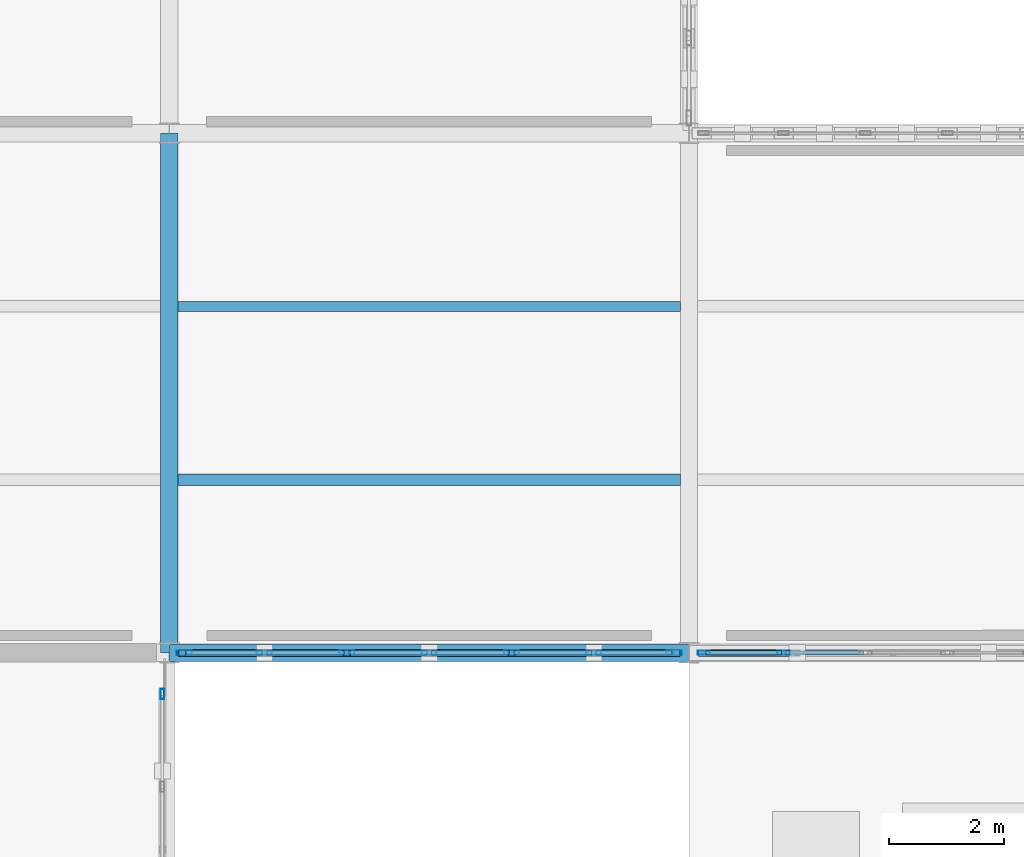
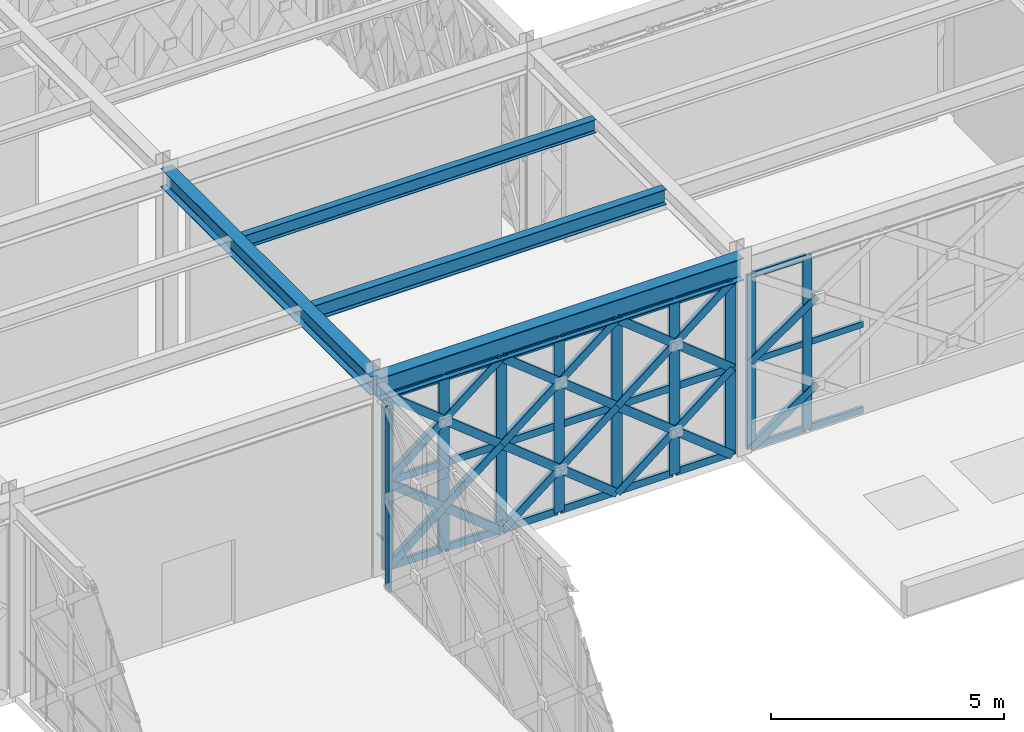
# One storey, part 113 of 166: 53 members, 4 beams, 3 elements without a shape of their own.
"""IFC4 building model written with IfcOpenShell, lengths in metres."""

from ifc_helpers import new_model, si_unit, direction, frame, origin, origin_2d, place, context, subcontext, project, spatial, hollow_rectangle, i_section, extrude, material, material_profile, profile_set, type_object, element, aggregate, save


model = new_model("IFC4")

# Units and contexts
model_context = context("Model", 3, precision=1e-05, world=origin(), true_north=direction((0.0, 1.0)))
body_context = subcontext(model_context, "Body", "Model", "MODEL_VIEW")
ifc_project = project(units=[si_unit("LENGTHUNIT", "METRE"), si_unit("AREAUNIT", "SQUARE_METRE"), si_unit("VOLUMEUNIT", "CUBIC_METRE"), si_unit("PLANEANGLEUNIT", "RADIAN"), si_unit("MASSUNIT", "GRAM", prefix="KILO")], contexts=[model_context])

# Site, building, storey
site_placement = place(None, origin())
site = spatial("IfcSite", under=ifc_project, at=site_placement, CompositionType="ELEMENT")
building_placement = place(site_placement, origin())
building = spatial("IfcBuilding", under=site, at=building_placement, Name="Haizhuo Lancet Aquarium", CompositionType="ELEMENT")
storey_placement = place(building_placement, frame((0.0, 0.0, 5.39990234375)))
storey = spatial("IfcBuildingStorey", under=building, at=storey_placement, Name="L01", CompositionType="ELEMENT", Elevation=5.39990234375)

# Beams
ifc_material_1 = material(Name="Steel S355", Category="steel")
ifc_material_profile_1 = material_profile(ifc_material_1, i_section(OverallWidth=0.300048828125, OverallDepth=0.488037109375, WebThickness=0.010986328125, FlangeThickness=0.01806640625, FilletRadius=0.02392578125, at=origin_2d()), Name="HM 488x300x11x18")
ifc_profile_set_1 = profile_set([ifc_material_profile_1], Name="Steel S355")
beam_type_1 = type_object("IfcBeamType", Name="BM-ST-HM488", PredefinedType="BEAM", material=ifc_profile_set_1)
beam_1_placement = place(storey_placement, frame((63.0, 9.0, 4.89599609375), z_axis=(0.0, 1.0, 0.0), x_axis=(-1.0, 0.0, 0.0)))
element("IfcBeam", 1, at=beam_1_placement, inside=storey, type_object=beam_type_1, Name="L01 V7 primary girder BM-L01-V7-021", PredefinedType="BEAM", context=body_context, shape_type="SweptSolid", body=[
    extrude(i_section(OverallWidth=0.300048828125, OverallDepth=0.488037109375, WebThickness=0.010986328125, FlangeThickness=0.01806640625, FilletRadius=0.02392578125, at=origin_2d()), origin(), (0.0, 0.0, 1.0), 9.0),
])
ifc_material_profile_2 = material_profile(ifc_material_1, i_section(OverallWidth=0.300048828125, OverallDepth=0.587890625, WebThickness=0.011962890625, FlangeThickness=0.02001953125, FilletRadius=0.02587890625, at=origin_2d()), Name="HM 588x300x12x20")
ifc_profile_set_2 = profile_set([ifc_material_profile_2], Name="Steel S355")
beam_type_2 = type_object("IfcBeamType", Name="BM-ST-HM588", PredefinedType="BEAM", material=ifc_profile_set_2)
beam_2_placement = place(storey_placement, frame((63.0, 9.0, 4.84619140625), z_axis=(1.0, 0.0, 0.0), x_axis=(0.0, 1.0, 0.0)))
element("IfcBeam", 2, at=beam_2_placement, inside=storey, type_object=beam_type_2, Name="L01 V7 primary girder BM-L01-V7-022", PredefinedType="BEAM", context=body_context, shape_type="SweptSolid", body=[
    extrude(i_section(OverallWidth=0.300048828125, OverallDepth=0.587890625, WebThickness=0.011962890625, FlangeThickness=0.02001953125, FilletRadius=0.02587890625, at=origin_2d()), origin(), (0.0, 0.0, 1.0), 9.0),
])

# Curtain wall, member
ifc_material_2 = material(Name="Aluminium 6063-T6", Category="aluminium")
curtain_wall_type_1 = type_object("IfcCurtainWallType", Name="CWO-8200x4750", PredefinedType="NOTDEFINED", material=ifc_material_2)
curtain_wall_1_placement = place(storey_placement, origin())
curtain_wall_1 = element("IfcCurtainWall", 3, at=curtain_wall_1_placement, inside=storey, type_object=curtain_wall_type_1, Name="L01 curtain wall CW-SB-02-E2", PredefinedType="NOTDEFINED")
ifc_material_profile_3 = material_profile(ifc_material_2, hollow_rectangle(XDim=0.06494140625, YDim=0.179931640625, WallThickness=0.00390625, at=origin_2d()), Name="ALU-M 65x180x4")
ifc_profile_set_3 = profile_set([ifc_material_profile_3], Name="Aluminium 6063-T6")
member_type_1 = type_object("IfcMemberType", Name="CW-MUL-1", PredefinedType="MULLION", material=ifc_profile_set_3)
member_1_placement = place(storey_placement, frame((62.8798828125, 8.287109375, 0.0), z_axis=(0.0, 0.0, 1.0), x_axis=(1.0, 0.0, 0.0)))
member_1 = element("IfcMember", 4, at=member_1_placement, type_object=member_type_1, Name="CWO-82x47 mullion 1", PredefinedType="MULLION", context=body_context, shape_type="SweptSolid", body=[
    extrude(hollow_rectangle(XDim=0.06494140625, YDim=0.179931640625, WallThickness=0.00390625, at=origin_2d()), origin(), (0.0, 0.0, 1.0), 4.75),
])
aggregate(curtain_wall_1, [member_1])

# Curtain wall, members
curtain_wall_type_2 = type_object("IfcCurtainWallType", Name="CWO-9940x4550", PredefinedType="NOTDEFINED", material=ifc_material_2)
curtain_wall_2_placement = place(storey_placement, origin())
curtain_wall_2 = element("IfcCurtainWall", 5, at=curtain_wall_2_placement, inside=storey, type_object=curtain_wall_type_2, Name="L01 curtain wall CW-V7-L01-290", PredefinedType="NOTDEFINED")
ifc_material_profile_4 = material_profile(ifc_material_2, hollow_rectangle(XDim=0.074951171875, YDim=0.219970703125, WallThickness=0.0048828125, at=origin_2d()), Name="ALU-M 75x220x5")
ifc_profile_set_4 = profile_set([ifc_material_profile_4], Name="Aluminium 6063-T6")
member_type_2 = type_object("IfcMemberType", Name="CW-MUL-2", PredefinedType="MULLION", material=ifc_profile_set_4)
member_2_placement = place(storey_placement, frame((73.638916015625, 9.0, 0.0), z_axis=(0.0, 0.0, 1.0), x_axis=(0.0, -1.0, 0.0)))
member_2 = element("IfcMember", 6, at=member_2_placement, type_object=member_type_2, Name="CWO-99x45 mullion 7", PredefinedType="MULLION", context=body_context, shape_type="SweptSolid", body=[
    extrude(hollow_rectangle(XDim=0.074951171875, YDim=0.219970703125, WallThickness=0.0048828125, at=origin_2d()), origin(), (0.0, 0.0, 1.0), 4.552001953125),
])
member_3_placement = place(storey_placement, frame((72.257080078125, 9.0, 0.0), z_axis=(0.0, 0.0, 1.0), x_axis=(0.0, -1.0, 0.0)))
member_3 = element("IfcMember", 7, at=member_3_placement, type_object=member_type_2, Name="CWO-99x45 mullion 8", PredefinedType="MULLION", context=body_context, shape_type="SweptSolid", body=[
    extrude(hollow_rectangle(XDim=0.074951171875, YDim=0.219970703125, WallThickness=0.0048828125, at=origin_2d()), origin(), (0.0, 0.0, 1.0), 4.552001953125),
])

curtain_wall_type_3 = type_object("IfcCurtainWallType", Name="CWO-8560x4550", PredefinedType="NOTDEFINED", material=ifc_material_2)
curtain_wall_3_placement = place(storey_placement, origin())
curtain_wall_3 = element("IfcCurtainWall", 8, at=curtain_wall_3_placement, inside=storey, type_object=curtain_wall_type_3, Name="L01 curtain wall CW-V7-L01-291", PredefinedType="NOTDEFINED")
ifc_material_profile_5 = material_profile(ifc_material_2, hollow_rectangle(XDim=0.080078125, YDim=0.260009765625, WallThickness=0.0048828125, at=origin_2d()), Name="ALU-M 80x260x5")
ifc_profile_set_5 = profile_set([ifc_material_profile_5], Name="Aluminium 6063-T6")
member_type_3 = type_object("IfcMemberType", Name="CW-MUL-3", PredefinedType="MULLION", material=ifc_profile_set_5)
member_4_placement = place(storey_placement, frame((71.739990234375, 9.0, 0.0), z_axis=(0.0, 0.0, 1.0), x_axis=(0.0, -1.0, 0.0)))
member_4 = element("IfcMember", 9, at=member_4_placement, type_object=member_type_3, Name="CWO-85x45 mullion 1", PredefinedType="MULLION", context=body_context, shape_type="SweptSolid", body=[
    extrude(hollow_rectangle(XDim=0.080078125, YDim=0.260009765625, WallThickness=0.0048828125, at=origin_2d()), origin(), (0.0, 0.0, 1.0), 4.552001953125),
])
member_5_placement = place(storey_placement, frame((70.35302734375, 9.0, 0.0), z_axis=(0.0, 0.0, 1.0), x_axis=(0.0, -1.0, 0.0)))
member_5 = element("IfcMember", 10, at=member_5_placement, type_object=member_type_3, Name="CWO-85x45 mullion 2", PredefinedType="MULLION", context=body_context, shape_type="SweptSolid", body=[
    extrude(hollow_rectangle(XDim=0.080078125, YDim=0.260009765625, WallThickness=0.0048828125, at=origin_2d()), origin(), (0.0, 0.0, 1.0), 4.552001953125),
])
member_6_placement = place(storey_placement, frame((68.927001953125, 9.0, 0.0), z_axis=(0.0, 0.0, 1.0), x_axis=(0.0, -1.0, 0.0)))
member_6 = element("IfcMember", 11, at=member_6_placement, type_object=member_type_3, Name="CWO-85x45 mullion 3", PredefinedType="MULLION", context=body_context, shape_type="SweptSolid", body=[
    extrude(hollow_rectangle(XDim=0.080078125, YDim=0.260009765625, WallThickness=0.0048828125, at=origin_2d()), origin(), (0.0, 0.0, 1.0), 4.552001953125),
])
member_7_placement = place(storey_placement, frame((67.5, 9.0, 0.0), z_axis=(0.0, 0.0, 1.0), x_axis=(0.0, -1.0, 0.0)))
member_7 = element("IfcMember", 12, at=member_7_placement, type_object=member_type_3, Name="CWO-85x45 mullion 4", PredefinedType="MULLION", context=body_context, shape_type="SweptSolid", body=[
    extrude(hollow_rectangle(XDim=0.080078125, YDim=0.260009765625, WallThickness=0.0048828125, at=origin_2d()), origin(), (0.0, 0.0, 1.0), 4.552001953125),
])
member_8_placement = place(storey_placement, frame((66.072998046875, 9.0, 0.0), z_axis=(0.0, 0.0, 1.0), x_axis=(0.0, -1.0, 0.0)))
member_8 = element("IfcMember", 13, at=member_8_placement, type_object=member_type_3, Name="CWO-85x45 mullion 5", PredefinedType="MULLION", context=body_context, shape_type="SweptSolid", body=[
    extrude(hollow_rectangle(XDim=0.080078125, YDim=0.260009765625, WallThickness=0.0048828125, at=origin_2d()), origin(), (0.0, 0.0, 1.0), 4.552001953125),
])
member_9_placement = place(storey_placement, frame((64.64697265625, 9.0, 0.0), z_axis=(0.0, 0.0, 1.0), x_axis=(0.0, -1.0, 0.0)))
member_9 = element("IfcMember", 14, at=member_9_placement, type_object=member_type_3, Name="CWO-85x45 mullion 6", PredefinedType="MULLION", context=body_context, shape_type="SweptSolid", body=[
    extrude(hollow_rectangle(XDim=0.080078125, YDim=0.260009765625, WallThickness=0.0048828125, at=origin_2d()), origin(), (0.0, 0.0, 1.0), 4.552001953125),
])
member_10_placement = place(storey_placement, frame((63.260009765625, 9.0, 0.0), z_axis=(0.0, 0.0, 1.0), x_axis=(0.0, -1.0, 0.0)))
member_10 = element("IfcMember", 15, at=member_10_placement, type_object=member_type_3, Name="CWO-85x45 mullion 7", PredefinedType="MULLION", context=body_context, shape_type="SweptSolid", body=[
    extrude(hollow_rectangle(XDim=0.080078125, YDim=0.260009765625, WallThickness=0.0048828125, at=origin_2d()), origin(), (0.0, 0.0, 1.0), 4.552001953125),
])

# Member
ifc_material_profile_6 = material_profile(ifc_material_2, hollow_rectangle(XDim=0.074951171875, YDim=0.159912109375, WallThickness=0.00390625, at=origin_2d()), Name="ALU-T 75x160x4")
ifc_profile_set_6 = profile_set([ifc_material_profile_6], Name="Aluminium 6063-T6")
member_type_4 = type_object("IfcMemberType", Name="CW-TRN-2", PredefinedType="NOTDEFINED", material=ifc_profile_set_6)
member_11_placement = place(storey_placement, frame((75.02099609375, 9.0, 0.0380859375), z_axis=(-1.0, 0.0, 0.0), x_axis=(0.0, -1.0, 0.0)))
member_11 = element("IfcMember", 16, at=member_11_placement, type_object=member_type_4, Name="CWO-99x45 transom 6.1", ObjectType="TRANSOM", PredefinedType="USERDEFINED", context=body_context, shape_type="SweptSolid", body=[
    extrude(hollow_rectangle(XDim=0.074951171875, YDim=0.159912109375, WallThickness=0.00390625, at=origin_2d()), origin(), (0.0, 0.0, 1.0), 1.343994140625),
])

member_12_placement = place(storey_placement, frame((75.02099609375, 9.0, 2.276123046875), z_axis=(-1.0, 0.0, 0.0), x_axis=(0.0, -1.0, 0.0)))
member_12 = element("IfcMember", 17, at=member_12_placement, type_object=member_type_4, Name="CWO-99x45 transom 6.2", ObjectType="TRANSOM", PredefinedType="USERDEFINED", context=body_context, shape_type="SweptSolid", body=[
    extrude(hollow_rectangle(XDim=0.074951171875, YDim=0.159912109375, WallThickness=0.00390625, at=origin_2d()), origin(), (0.0, 0.0, 1.0), 1.343994140625),
])

member_13_placement = place(storey_placement, frame((73.60205078125, 9.0, 0.0380859375), z_axis=(-1.0, 0.0, 0.0), x_axis=(0.0, -1.0, 0.0)))
member_13 = element("IfcMember", 18, at=member_13_placement, type_object=member_type_4, Name="CWO-99x45 transom 7.1", ObjectType="TRANSOM", PredefinedType="USERDEFINED", context=body_context, shape_type="SweptSolid", body=[
    extrude(hollow_rectangle(XDim=0.074951171875, YDim=0.159912109375, WallThickness=0.00390625, at=origin_2d()), origin(), (0.0, 0.0, 1.0), 1.30712890625),
])

member_14_placement = place(storey_placement, frame((73.60205078125, 9.0, 2.276123046875), z_axis=(-1.0, 0.0, 0.0), x_axis=(0.0, -1.0, 0.0)))
member_14 = element("IfcMember", 19, at=member_14_placement, type_object=member_type_4, Name="CWO-99x45 transom 7.2", ObjectType="TRANSOM", PredefinedType="USERDEFINED", context=body_context, shape_type="SweptSolid", body=[
    extrude(hollow_rectangle(XDim=0.074951171875, YDim=0.159912109375, WallThickness=0.00390625, at=origin_2d()), origin(), (0.0, 0.0, 1.0), 1.30712890625),
])

member_15_placement = place(storey_placement, frame((73.60205078125, 9.0, 4.51513671875), z_axis=(-1.0, 0.0, 0.0), x_axis=(0.0, -1.0, 0.0)))
member_15 = element("IfcMember", 20, at=member_15_placement, type_object=member_type_4, Name="CWO-99x45 transom 7.3", ObjectType="TRANSOM", PredefinedType="USERDEFINED", context=body_context, shape_type="SweptSolid", body=[
    extrude(hollow_rectangle(XDim=0.074951171875, YDim=0.159912109375, WallThickness=0.00390625, at=origin_2d()), origin(), (0.0, 0.0, 1.0), 1.30712890625),
])

aggregate(curtain_wall_2, [member_2, member_3, member_11, member_12, member_13, member_14, member_15])

ifc_material_profile_7 = material_profile(ifc_material_2, hollow_rectangle(XDim=0.080078125, YDim=0.18994140625, WallThickness=0.0048828125, at=origin_2d()), Name="ALU-T 80x190x5")
ifc_profile_set_7 = profile_set([ifc_material_profile_7], Name="Aluminium 6063-T6")
member_type_5 = type_object("IfcMemberType", Name="CW-TRN-3", PredefinedType="NOTDEFINED", material=ifc_profile_set_7)
member_16_placement = place(storey_placement, frame((71.699951171875, 9.0, 0.0400390625), z_axis=(-1.0, 0.0, 0.0), x_axis=(0.0, -1.0, 0.0)))
member_16 = element("IfcMember", 21, at=member_16_placement, type_object=member_type_5, Name="CWO-85x45 transom 1.1", ObjectType="TRANSOM", PredefinedType="USERDEFINED", context=body_context, shape_type="SweptSolid", body=[
    extrude(hollow_rectangle(XDim=0.080078125, YDim=0.18994140625, WallThickness=0.0048828125, at=origin_2d()), origin(), (0.0, 0.0, 1.0), 1.306884765625),
])

member_17_placement = place(storey_placement, frame((71.699951171875, 9.0, 2.276123046875), z_axis=(-1.0, 0.0, 0.0), x_axis=(0.0, -1.0, 0.0)))
member_17 = element("IfcMember", 22, at=member_17_placement, type_object=member_type_5, Name="CWO-85x45 transom 1.2", ObjectType="TRANSOM", PredefinedType="USERDEFINED", context=body_context, shape_type="SweptSolid", body=[
    extrude(hollow_rectangle(XDim=0.080078125, YDim=0.18994140625, WallThickness=0.0048828125, at=origin_2d()), origin(), (0.0, 0.0, 1.0), 1.306884765625),
])

member_18_placement = place(storey_placement, frame((71.699951171875, 9.0, 4.51220703125), z_axis=(-1.0, 0.0, 0.0), x_axis=(0.0, -1.0, 0.0)))
member_18 = element("IfcMember", 23, at=member_18_placement, type_object=member_type_5, Name="CWO-85x45 transom 1.3", ObjectType="TRANSOM", PredefinedType="USERDEFINED", context=body_context, shape_type="SweptSolid", body=[
    extrude(hollow_rectangle(XDim=0.080078125, YDim=0.18994140625, WallThickness=0.0048828125, at=origin_2d()), origin(), (0.0, 0.0, 1.0), 1.306884765625),
])

member_19_placement = place(storey_placement, frame((70.31298828125, 9.0, 0.0400390625), z_axis=(-1.0, 0.0, 0.0), x_axis=(0.0, -1.0, 0.0)))
member_19 = element("IfcMember", 24, at=member_19_placement, type_object=member_type_5, Name="CWO-85x45 transom 2.1", ObjectType="TRANSOM", PredefinedType="USERDEFINED", context=body_context, shape_type="SweptSolid", body=[
    extrude(hollow_rectangle(XDim=0.080078125, YDim=0.18994140625, WallThickness=0.0048828125, at=origin_2d()), origin(), (0.0, 0.0, 1.0), 1.345947265625),
])

member_20_placement = place(storey_placement, frame((70.31298828125, 9.0, 2.276123046875), z_axis=(-1.0, 0.0, 0.0), x_axis=(0.0, -1.0, 0.0)))
member_20 = element("IfcMember", 25, at=member_20_placement, type_object=member_type_5, Name="CWO-85x45 transom 2.2", ObjectType="TRANSOM", PredefinedType="USERDEFINED", context=body_context, shape_type="SweptSolid", body=[
    extrude(hollow_rectangle(XDim=0.080078125, YDim=0.18994140625, WallThickness=0.0048828125, at=origin_2d()), origin(), (0.0, 0.0, 1.0), 1.345947265625),
])

member_21_placement = place(storey_placement, frame((70.31298828125, 9.0, 4.51220703125), z_axis=(-1.0, 0.0, 0.0), x_axis=(0.0, -1.0, 0.0)))
member_21 = element("IfcMember", 26, at=member_21_placement, type_object=member_type_5, Name="CWO-85x45 transom 2.3", ObjectType="TRANSOM", PredefinedType="USERDEFINED", context=body_context, shape_type="SweptSolid", body=[
    extrude(hollow_rectangle(XDim=0.080078125, YDim=0.18994140625, WallThickness=0.0048828125, at=origin_2d()), origin(), (0.0, 0.0, 1.0), 1.345947265625),
])

member_22_placement = place(storey_placement, frame((68.886962890625, 9.0, 0.0400390625), z_axis=(-1.0, 0.0, 0.0), x_axis=(0.0, -1.0, 0.0)))
member_22 = element("IfcMember", 27, at=member_22_placement, type_object=member_type_5, Name="CWO-85x45 transom 3.1", ObjectType="TRANSOM", PredefinedType="USERDEFINED", context=body_context, shape_type="SweptSolid", body=[
    extrude(hollow_rectangle(XDim=0.080078125, YDim=0.18994140625, WallThickness=0.0048828125, at=origin_2d()), origin(), (0.0, 0.0, 1.0), 1.346923828125),
])

member_23_placement = place(storey_placement, frame((68.886962890625, 9.0, 2.276123046875), z_axis=(-1.0, 0.0, 0.0), x_axis=(0.0, -1.0, 0.0)))
member_23 = element("IfcMember", 28, at=member_23_placement, type_object=member_type_5, Name="CWO-85x45 transom 3.2", ObjectType="TRANSOM", PredefinedType="USERDEFINED", context=body_context, shape_type="SweptSolid", body=[
    extrude(hollow_rectangle(XDim=0.080078125, YDim=0.18994140625, WallThickness=0.0048828125, at=origin_2d()), origin(), (0.0, 0.0, 1.0), 1.346923828125),
])

member_24_placement = place(storey_placement, frame((68.886962890625, 9.0, 4.51220703125), z_axis=(-1.0, 0.0, 0.0), x_axis=(0.0, -1.0, 0.0)))
member_24 = element("IfcMember", 29, at=member_24_placement, type_object=member_type_5, Name="CWO-85x45 transom 3.3", ObjectType="TRANSOM", PredefinedType="USERDEFINED", context=body_context, shape_type="SweptSolid", body=[
    extrude(hollow_rectangle(XDim=0.080078125, YDim=0.18994140625, WallThickness=0.0048828125, at=origin_2d()), origin(), (0.0, 0.0, 1.0), 1.346923828125),
])

member_25_placement = place(storey_placement, frame((67.4599609375, 9.0, 0.0400390625), z_axis=(-1.0, 0.0, 0.0), x_axis=(0.0, -1.0, 0.0)))
member_25 = element("IfcMember", 30, at=member_25_placement, type_object=member_type_5, Name="CWO-85x45 transom 4.1", ObjectType="TRANSOM", PredefinedType="USERDEFINED", context=body_context, shape_type="SweptSolid", body=[
    extrude(hollow_rectangle(XDim=0.080078125, YDim=0.18994140625, WallThickness=0.0048828125, at=origin_2d()), origin(), (0.0, 0.0, 1.0), 1.346923828125),
])

member_26_placement = place(storey_placement, frame((67.4599609375, 9.0, 2.276123046875), z_axis=(-1.0, 0.0, 0.0), x_axis=(0.0, -1.0, 0.0)))
member_26 = element("IfcMember", 31, at=member_26_placement, type_object=member_type_5, Name="CWO-85x45 transom 4.2", ObjectType="TRANSOM", PredefinedType="USERDEFINED", context=body_context, shape_type="SweptSolid", body=[
    extrude(hollow_rectangle(XDim=0.080078125, YDim=0.18994140625, WallThickness=0.0048828125, at=origin_2d()), origin(), (0.0, 0.0, 1.0), 1.346923828125),
])

member_27_placement = place(storey_placement, frame((67.4599609375, 9.0, 4.51220703125), z_axis=(-1.0, 0.0, 0.0), x_axis=(0.0, -1.0, 0.0)))
member_27 = element("IfcMember", 32, at=member_27_placement, type_object=member_type_5, Name="CWO-85x45 transom 4.3", ObjectType="TRANSOM", PredefinedType="USERDEFINED", context=body_context, shape_type="SweptSolid", body=[
    extrude(hollow_rectangle(XDim=0.080078125, YDim=0.18994140625, WallThickness=0.0048828125, at=origin_2d()), origin(), (0.0, 0.0, 1.0), 1.346923828125),
])

member_28_placement = place(storey_placement, frame((66.032958984375, 9.0, 0.0400390625), z_axis=(-1.0, 0.0, 0.0), x_axis=(0.0, -1.0, 0.0)))
member_28 = element("IfcMember", 33, at=member_28_placement, type_object=member_type_5, Name="CWO-85x45 transom 5.1", ObjectType="TRANSOM", PredefinedType="USERDEFINED", context=body_context, shape_type="SweptSolid", body=[
    extrude(hollow_rectangle(XDim=0.080078125, YDim=0.18994140625, WallThickness=0.0048828125, at=origin_2d()), origin(), (0.0, 0.0, 1.0), 1.345947265625),
])

member_29_placement = place(storey_placement, frame((66.032958984375, 9.0, 2.276123046875), z_axis=(-1.0, 0.0, 0.0), x_axis=(0.0, -1.0, 0.0)))
member_29 = element("IfcMember", 34, at=member_29_placement, type_object=member_type_5, Name="CWO-85x45 transom 5.2", ObjectType="TRANSOM", PredefinedType="USERDEFINED", context=body_context, shape_type="SweptSolid", body=[
    extrude(hollow_rectangle(XDim=0.080078125, YDim=0.18994140625, WallThickness=0.0048828125, at=origin_2d()), origin(), (0.0, 0.0, 1.0), 1.345947265625),
])

member_30_placement = place(storey_placement, frame((66.032958984375, 9.0, 4.51220703125), z_axis=(-1.0, 0.0, 0.0), x_axis=(0.0, -1.0, 0.0)))
member_30 = element("IfcMember", 35, at=member_30_placement, type_object=member_type_5, Name="CWO-85x45 transom 5.3", ObjectType="TRANSOM", PredefinedType="USERDEFINED", context=body_context, shape_type="SweptSolid", body=[
    extrude(hollow_rectangle(XDim=0.080078125, YDim=0.18994140625, WallThickness=0.0048828125, at=origin_2d()), origin(), (0.0, 0.0, 1.0), 1.345947265625),
])

member_31_placement = place(storey_placement, frame((64.60693359375, 9.0, 0.0400390625), z_axis=(-1.0, 0.0, 0.0), x_axis=(0.0, -1.0, 0.0)))
member_31 = element("IfcMember", 36, at=member_31_placement, type_object=member_type_5, Name="CWO-85x45 transom 6.1", ObjectType="TRANSOM", PredefinedType="USERDEFINED", context=body_context, shape_type="SweptSolid", body=[
    extrude(hollow_rectangle(XDim=0.080078125, YDim=0.18994140625, WallThickness=0.0048828125, at=origin_2d()), origin(), (0.0, 0.0, 1.0), 1.306884765625),
])

member_32_placement = place(storey_placement, frame((64.60693359375, 9.0, 2.276123046875), z_axis=(-1.0, 0.0, 0.0), x_axis=(0.0, -1.0, 0.0)))
member_32 = element("IfcMember", 37, at=member_32_placement, type_object=member_type_5, Name="CWO-85x45 transom 6.2", ObjectType="TRANSOM", PredefinedType="USERDEFINED", context=body_context, shape_type="SweptSolid", body=[
    extrude(hollow_rectangle(XDim=0.080078125, YDim=0.18994140625, WallThickness=0.0048828125, at=origin_2d()), origin(), (0.0, 0.0, 1.0), 1.306884765625),
])

member_33_placement = place(storey_placement, frame((64.60693359375, 9.0, 4.51220703125), z_axis=(-1.0, 0.0, 0.0), x_axis=(0.0, -1.0, 0.0)))
member_33 = element("IfcMember", 38, at=member_33_placement, type_object=member_type_5, Name="CWO-85x45 transom 6.3", ObjectType="TRANSOM", PredefinedType="USERDEFINED", context=body_context, shape_type="SweptSolid", body=[
    extrude(hollow_rectangle(XDim=0.080078125, YDim=0.18994140625, WallThickness=0.0048828125, at=origin_2d()), origin(), (0.0, 0.0, 1.0), 1.306884765625),
])

aggregate(curtain_wall_3, [member_4, member_5, member_6, member_7, member_8, member_9, member_10, member_16, member_17, member_18, member_19, member_20, member_21, member_22, member_23, member_24, member_25, member_26, member_27, member_28, member_29, member_30, member_31, member_32, member_33])

# Beams
ifc_material_profile_8 = material_profile(ifc_material_1, i_section(OverallWidth=0.175048828125, OverallDepth=0.35009765625, WebThickness=0.007080078125, FlangeThickness=0.010986328125, FilletRadius=0.013916015625, at=origin_2d()), Name="HN 350x175x7x11")
ifc_profile_set_8 = profile_set([ifc_material_profile_8], Name="Steel S355")
beam_type_3 = type_object("IfcBeamType", Name="JST-ST-HN350", PredefinedType="JOIST", material=ifc_profile_set_8)
beam_3_placement = place(storey_placement, frame((63.14990234375, 15.0, 4.965087890625), z_axis=(1.0, 0.0, 0.0), x_axis=(0.0, 1.0, 0.0)))
element("IfcBeam", 39, at=beam_3_placement, inside=storey, type_object=beam_type_3, Name="L01 V7 secondary floor joist 16", PredefinedType="JOIST", context=body_context, shape_type="SweptSolid", body=[
    extrude(i_section(OverallWidth=0.175048828125, OverallDepth=0.35009765625, WebThickness=0.007080078125, FlangeThickness=0.010986328125, FilletRadius=0.013916015625, at=origin_2d()), origin(), (0.0, 0.0, 1.0), 8.7001953125),
])
ifc_material_profile_9 = material_profile(ifc_material_1, i_section(OverallWidth=0.199951171875, OverallDepth=0.39990234375, WebThickness=0.008056640625, FlangeThickness=0.012939453125, FilletRadius=0.01611328125, at=origin_2d()), Name="HN 400x200x8x13")
ifc_profile_set_9 = profile_set([ifc_material_profile_9], Name="Steel S355")
beam_type_4 = type_object("IfcBeamType", Name="JST-ST-HN400", PredefinedType="JOIST", material=ifc_profile_set_9)
beam_4_placement = place(storey_placement, frame((63.14990234375, 12.0, 4.940185546875), z_axis=(1.0, 0.0, 0.0), x_axis=(0.0, 1.0, 0.0)))
element("IfcBeam", 40, at=beam_4_placement, inside=storey, type_object=beam_type_4, Name="L01 V7 secondary floor joist 15", PredefinedType="JOIST", context=body_context, shape_type="SweptSolid", body=[
    extrude(i_section(OverallWidth=0.199951171875, OverallDepth=0.39990234375, WebThickness=0.008056640625, FlangeThickness=0.012939453125, FilletRadius=0.01611328125, at=origin_2d()), origin(), (0.0, 0.0, 1.0), 8.7001953125),
])

# Members
ifc_material_profile_10 = material_profile(ifc_material_1, hollow_rectangle(XDim=0.1201171875, YDim=0.199951171875, WallThickness=0.008056640625, at=origin_2d()), Name="RHS 120x200x8")
ifc_profile_set_10 = profile_set([ifc_material_profile_10], Name="Steel S355")
member_type_6 = type_object("IfcMemberType", Name="MEM-LB-RHS120x200", PredefinedType="BRACE", material=ifc_profile_set_10)
member_34_placement = place(storey_placement, frame((72.219970703125, 9.0, 0.0), z_axis=(0.824116362396, 0.0, 0.566420533907), x_axis=(0.0, 1.0, 0.0)))
element("IfcMember", 41, at=member_34_placement, inside=storey, type_object=member_type_6, Name="Gothic lancet split diagonal brace CW-V7-L01-290 5B1", PredefinedType="BRACE", context=body_context, shape_type="SweptSolid", body=[
    extrude(hollow_rectangle(XDim=0.1201171875, YDim=0.199951171875, WallThickness=0.008056640625, at=origin_2d()), origin(), (0.0, 0.0, 1.0), 2.009521484375),
])
member_35_placement = place(storey_placement, frame((72.219970703125, 9.0, 2.276123046875), z_axis=(0.824173076685, 0.0, 0.566338008319), x_axis=(0.0, 1.0, 0.0)))
element("IfcMember", 42, at=member_35_placement, inside=storey, type_object=member_type_6, Name="Gothic lancet split diagonal brace CW-V7-L01-290 6B1", PredefinedType="BRACE", context=body_context, shape_type="SweptSolid", body=[
    extrude(hollow_rectangle(XDim=0.1201171875, YDim=0.199951171875, WallThickness=0.008056640625, at=origin_2d()), origin(), (0.0, 0.0, 1.0), 2.00927734375),
])
member_36_placement = place(storey_placement, frame((71.780029296875, 9.0, 0.0), z_axis=(-0.781709971476, 0.0, 0.623642141372), x_axis=(0.0, -1.0, 0.0)))
element("IfcMember", 43, at=member_36_placement, inside=storey, type_object=member_type_6, Name="Gothic lancet continuous diagonal brace CW-V7-L01-291 1A", PredefinedType="BRACE", context=body_context, shape_type="SweptSolid", body=[
    extrude(hollow_rectangle(XDim=0.1201171875, YDim=0.199951171875, WallThickness=0.008056640625, at=origin_2d()), origin(), (0.0, 0.0, 1.0), 3.649658203125),
])
member_37_placement = place(storey_placement, frame((68.927001953125, 9.0, 0.0), z_axis=(0.78157325262, 0.0, 0.623813474356), x_axis=(0.0, 1.0, 0.0)))
element("IfcMember", 44, at=member_37_placement, inside=storey, type_object=member_type_6, Name="Gothic lancet split diagonal brace CW-V7-L01-291 1B1", PredefinedType="BRACE", context=body_context, shape_type="SweptSolid", body=[
    extrude(hollow_rectangle(XDim=0.1201171875, YDim=0.199951171875, WallThickness=0.008056640625, at=origin_2d()), origin(), (0.0, 0.0, 1.0), 1.824462890625),
])
member_38_placement = place(storey_placement, frame((70.35302734375, 9.0, 1.13818359375), z_axis=(0.781846607014, 0.0, 0.623470835807), x_axis=(0.0, 1.0, 0.0)))
element("IfcMember", 45, at=member_38_placement, inside=storey, type_object=member_type_6, Name="Gothic lancet split diagonal brace CW-V7-L01-291 1B2", PredefinedType="BRACE", context=body_context, shape_type="SweptSolid", body=[
    extrude(hollow_rectangle(XDim=0.1201171875, YDim=0.199951171875, WallThickness=0.008056640625, at=origin_2d()), origin(), (0.0, 0.0, 1.0), 1.8251953125),
])
member_39_placement = place(storey_placement, frame((71.780029296875, 9.0, 2.276123046875), z_axis=(-0.781742582524, 0.0, 0.623601262561), x_axis=(0.0, -1.0, 0.0)))
element("IfcMember", 46, at=member_39_placement, inside=storey, type_object=member_type_6, Name="Gothic lancet continuous diagonal brace CW-V7-L01-291 2A", PredefinedType="BRACE", context=body_context, shape_type="SweptSolid", body=[
    extrude(hollow_rectangle(XDim=0.1201171875, YDim=0.199951171875, WallThickness=0.008056640625, at=origin_2d()), origin(), (0.0, 0.0, 1.0), 3.649658203125),
])
member_40_placement = place(storey_placement, frame((68.927001953125, 9.0, 2.276123046875), z_axis=(0.781638492735, 0.0, 0.623731726526), x_axis=(0.0, 1.0, 0.0)))
element("IfcMember", 47, at=member_40_placement, inside=storey, type_object=member_type_6, Name="Gothic lancet split diagonal brace CW-V7-L01-291 2B1", PredefinedType="BRACE", context=body_context, shape_type="SweptSolid", body=[
    extrude(hollow_rectangle(XDim=0.1201171875, YDim=0.199951171875, WallThickness=0.008056640625, at=origin_2d()), origin(), (0.0, 0.0, 1.0), 1.824462890625),
])
member_41_placement = place(storey_placement, frame((70.35302734375, 9.0, 3.4140625), z_axis=(0.781846607014, 0.0, 0.623470835807), x_axis=(0.0, 1.0, 0.0)))
element("IfcMember", 48, at=member_41_placement, inside=storey, type_object=member_type_6, Name="Gothic lancet split diagonal brace CW-V7-L01-291 2B2", PredefinedType="BRACE", context=body_context, shape_type="SweptSolid", body=[
    extrude(hollow_rectangle(XDim=0.1201171875, YDim=0.199951171875, WallThickness=0.008056640625, at=origin_2d()), origin(), (0.0, 0.0, 1.0), 1.8251953125),
])
member_42_placement = place(storey_placement, frame((68.927001953125, 9.0, 0.0), z_axis=(-0.781814005267, 0.0, 0.623511716946), x_axis=(0.0, -1.0, 0.0)))
element("IfcMember", 49, at=member_42_placement, inside=storey, type_object=member_type_6, Name="Gothic lancet continuous diagonal brace CW-V7-L01-291 3A", PredefinedType="BRACE", context=body_context, shape_type="SweptSolid", body=[
    extrude(hollow_rectangle(XDim=0.1201171875, YDim=0.199951171875, WallThickness=0.008056640625, at=origin_2d()), origin(), (0.0, 0.0, 1.0), 3.650390625),
])
member_43_placement = place(storey_placement, frame((66.072998046875, 9.0, 0.0), z_axis=(0.781781404101, 0.0, 0.623552592972), x_axis=(0.0, 1.0, 0.0)))
element("IfcMember", 50, at=member_43_placement, inside=storey, type_object=member_type_6, Name="Gothic lancet split diagonal brace CW-V7-L01-291 3B1", PredefinedType="BRACE", context=body_context, shape_type="SweptSolid", body=[
    extrude(hollow_rectangle(XDim=0.1201171875, YDim=0.199951171875, WallThickness=0.008056640625, at=origin_2d()), origin(), (0.0, 0.0, 1.0), 1.825439453125),
])
member_44_placement = place(storey_placement, frame((67.5, 9.0, 1.13818359375), z_axis=(0.781846607014, 0.0, 0.623470835807), x_axis=(0.0, 1.0, 0.0)))
element("IfcMember", 51, at=member_44_placement, inside=storey, type_object=member_type_6, Name="Gothic lancet split diagonal brace CW-V7-L01-291 3B2", PredefinedType="BRACE", context=body_context, shape_type="SweptSolid", body=[
    extrude(hollow_rectangle(XDim=0.1201171875, YDim=0.199951171875, WallThickness=0.008056640625, at=origin_2d()), origin(), (0.0, 0.0, 1.0), 1.8251953125),
])
member_45_placement = place(storey_placement, frame((68.927001953125, 9.0, 2.276123046875), z_axis=(-0.781846607014, 0.0, 0.623470835807), x_axis=(0.0, -1.0, 0.0)))
element("IfcMember", 52, at=member_45_placement, inside=storey, type_object=member_type_6, Name="Gothic lancet continuous diagonal brace CW-V7-L01-291 4A", PredefinedType="BRACE", context=body_context, shape_type="SweptSolid", body=[
    extrude(hollow_rectangle(XDim=0.1201171875, YDim=0.199951171875, WallThickness=0.008056640625, at=origin_2d()), origin(), (0.0, 0.0, 1.0), 3.650390625),
])
for number, where, z_axis, x_axis, name in (
    (53, (66.072998046875, 9.0, 2.276123046875), (0.781846607014, 0.0, 0.623470835807), (0.0, 1.0, 0.0), "Gothic lancet split diagonal brace CW-V7-L01-291 4B1"),
    (54, (67.5, 9.0, 3.4140625), (0.781846607014, 0.0, 0.623470835807), (0.0, 1.0, 0.0), "Gothic lancet split diagonal brace CW-V7-L01-291 4B2"),
):
    element("IfcMember", number, at=place(storey_placement, frame(where, z_axis=z_axis, x_axis=x_axis)), inside=storey, type_object=member_type_6, Name=name, PredefinedType="BRACE", context=body_context, shape_type="SweptSolid", body=[
        extrude(hollow_rectangle(XDim=0.1201171875, YDim=0.199951171875, WallThickness=0.008056640625, at=origin_2d()), origin(), (0.0, 0.0, 1.0), 1.8251953125),
    ])
member_46_placement = place(storey_placement, frame((66.072998046875, 9.0, 0.0), z_axis=(-0.781709971476, 0.0, 0.623642141372), x_axis=(0.0, -1.0, 0.0)))
element("IfcMember", 55, at=member_46_placement, inside=storey, type_object=member_type_6, Name="Gothic lancet continuous diagonal brace CW-V7-L01-291 5A", PredefinedType="BRACE", context=body_context, shape_type="SweptSolid", body=[
    extrude(hollow_rectangle(XDim=0.1201171875, YDim=0.199951171875, WallThickness=0.008056640625, at=origin_2d()), origin(), (0.0, 0.0, 1.0), 3.649658203125),
])
member_47_placement = place(storey_placement, frame((63.219970703125, 9.0, 0.0), z_axis=(0.781781404101, 0.0, 0.623552592972), x_axis=(0.0, 1.0, 0.0)))
element("IfcMember", 56, at=member_47_placement, inside=storey, type_object=member_type_6, Name="Gothic lancet split diagonal brace CW-V7-L01-291 5B1", PredefinedType="BRACE", context=body_context, shape_type="SweptSolid", body=[
    extrude(hollow_rectangle(XDim=0.1201171875, YDim=0.199951171875, WallThickness=0.008056640625, at=origin_2d()), origin(), (0.0, 0.0, 1.0), 1.825439453125),
])
member_48_placement = place(storey_placement, frame((64.64697265625, 9.0, 1.13818359375), z_axis=(0.781638492735, 0.0, 0.623731726526), x_axis=(0.0, 1.0, 0.0)))
element("IfcMember", 57, at=member_48_placement, inside=storey, type_object=member_type_6, Name="Gothic lancet split diagonal brace CW-V7-L01-291 5B2", PredefinedType="BRACE", context=body_context, shape_type="SweptSolid", body=[
    extrude(hollow_rectangle(XDim=0.1201171875, YDim=0.199951171875, WallThickness=0.008056640625, at=origin_2d()), origin(), (0.0, 0.0, 1.0), 1.824462890625),
])
member_49_placement = place(storey_placement, frame((66.072998046875, 9.0, 2.276123046875), z_axis=(-0.781742582524, 0.0, 0.623601262561), x_axis=(0.0, -1.0, 0.0)))
element("IfcMember", 58, at=member_49_placement, inside=storey, type_object=member_type_6, Name="Gothic lancet continuous diagonal brace CW-V7-L01-291 6A", PredefinedType="BRACE", context=body_context, shape_type="SweptSolid", body=[
    extrude(hollow_rectangle(XDim=0.1201171875, YDim=0.199951171875, WallThickness=0.008056640625, at=origin_2d()), origin(), (0.0, 0.0, 1.0), 3.649658203125),
])
member_50_placement = place(storey_placement, frame((63.219970703125, 9.0, 2.276123046875), z_axis=(0.781846607014, 0.0, 0.623470835807), x_axis=(0.0, 1.0, 0.0)))
element("IfcMember", 59, at=member_50_placement, inside=storey, type_object=member_type_6, Name="Gothic lancet split diagonal brace CW-V7-L01-291 6B1", PredefinedType="BRACE", context=body_context, shape_type="SweptSolid", body=[
    extrude(hollow_rectangle(XDim=0.1201171875, YDim=0.199951171875, WallThickness=0.008056640625, at=origin_2d()), origin(), (0.0, 0.0, 1.0), 1.8251953125),
])
member_51_placement = place(storey_placement, frame((64.64697265625, 9.0, 3.4140625), z_axis=(0.781638492735, 0.0, 0.623731726526), x_axis=(0.0, 1.0, 0.0)))
element("IfcMember", 60, at=member_51_placement, inside=storey, type_object=member_type_6, Name="Gothic lancet split diagonal brace CW-V7-L01-291 6B2", PredefinedType="BRACE", context=body_context, shape_type="SweptSolid", body=[
    extrude(hollow_rectangle(XDim=0.1201171875, YDim=0.199951171875, WallThickness=0.008056640625, at=origin_2d()), origin(), (0.0, 0.0, 1.0), 1.824462890625),
])

save(model, "model.ifc")
